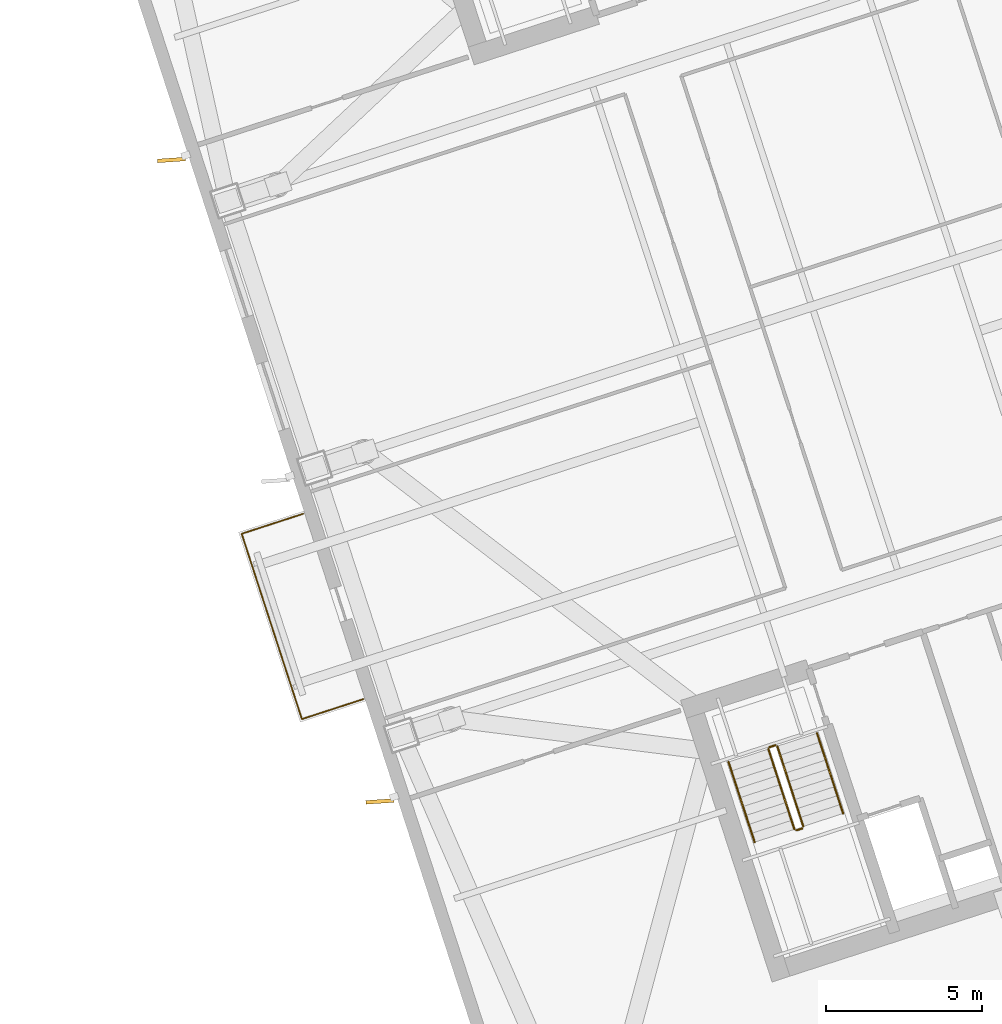
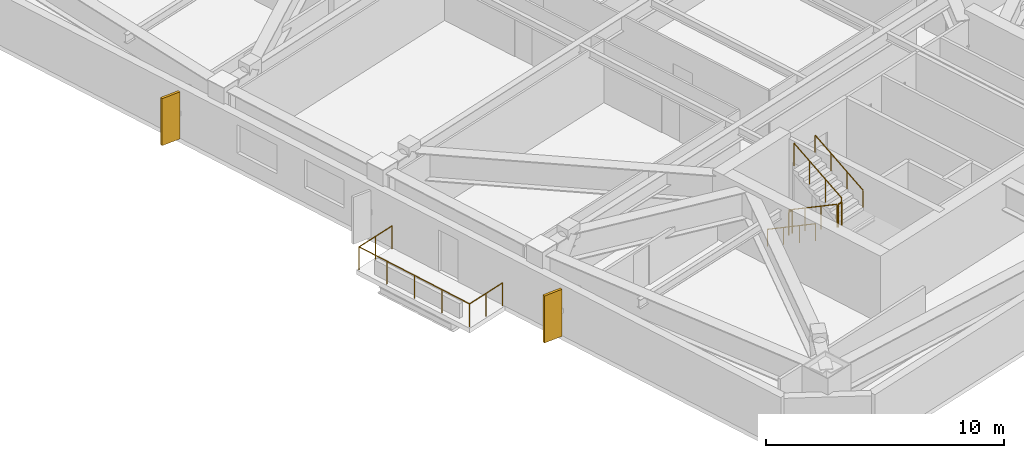
# One storey, part 16 of 17: 7 railings, 2 shading devices.
"""IFC4 building model written with IfcOpenShell, lengths in metres."""

import ifcopenshell
import ifcopenshell.guid

model = None  # the IFC model being written
_history = None  # IfcOwnerHistory: only IFC2X3 demands one
_inside = {}  # id of a spatial element -> (the spatial element, [elements in it])
_under = {}  # id of a project, library or spatial element -> (it, [spatial elements below it])
_declared = {}  # id of a project -> (the project, [libraries it declares])
_typed = {}  # id of a type object -> (the type object, [elements of that type])
_made_of = {}  # id of a material, layer set ... -> (it, [elements and type objects made of it])


def new_model(schema):
    """Start an empty IFC model of exactly this schema.

    Asked for "IFC4X3", IfcOpenShell would pick the latest addendum, in which some entities
    have other attributes; the version numbers below select the first issue.
    IFC2X3 requires an IfcOwnerHistory on every rooted entity: one is made here for all.
    """
    global model, _history
    if schema == "IFC4X3":
        model = ifcopenshell.file(schema_version=(4, 3, 0, 0))
    else:
        model = ifcopenshell.file(schema=schema)
    _inside.clear()
    _under.clear()
    _declared.clear()
    _typed.clear()
    _made_of.clear()
    _history = None
    if model.schema == "IFC2X3":
        org = make("IfcOrganization", Name="unknown")
        user = make(
            "IfcPersonAndOrganization",
            ThePerson=make("IfcPerson", FamilyName="unknown"),
            TheOrganization=org,
        )
        app = make(
            "IfcApplication",
            ApplicationDeveloper=org,
            Version="unknown",
            ApplicationFullName="unknown",
            ApplicationIdentifier="unknown",
        )
        _history = make(
            "IfcOwnerHistory",
            OwningUser=user,
            OwningApplication=app,
            ChangeAction="ADDED",
            CreationDate=0,
        )
    return model


def make(cls, **values):
    """One entity of the class cls with the attributes given. An attribute that is None is left unset."""
    return model.create_entity(
        cls, **{name: value for name, value in values.items() if value is not None}
    )


def rooted(cls, **values):
    """An entity with a GlobalId (a new one), such as an element, a storey or a relation."""
    return make(cls, GlobalId=ifcopenshell.guid.new(), OwnerHistory=_history, **values)


def si_unit(unit_type, name, prefix=None):
    """IfcSIUnit, for example si_unit("LENGTHUNIT", "METRE", prefix="MILLI")."""
    return make("IfcSIUnit", UnitType=unit_type, Prefix=prefix, Name=name)


def assignment(units):
    """IfcUnitAssignment: the units of a project."""
    return None if units is None else make("IfcUnitAssignment", Units=units)


def point(xyz):
    """IfcCartesianPoint."""
    return None if xyz is None else make("IfcCartesianPoint", Coordinates=xyz)


def direction(xyz):
    """IfcDirection."""
    return None if xyz is None else make("IfcDirection", DirectionRatios=xyz)


def frame(location, z_axis=None, x_axis=None):
    """IfcAxis2Placement3D, a coordinate frame: its origin and axes. An axis left out is left unset."""
    return make(
        "IfcAxis2Placement3D",
        Location=point(location),
        Axis=direction(z_axis),
        RefDirection=direction(x_axis),
    )


def frame_2d(location, x_axis=None):
    """IfcAxis2Placement2D, a coordinate frame in the plane: its origin and x axis."""
    return make(
        "IfcAxis2Placement2D", Location=point(location), RefDirection=direction(x_axis)
    )


def origin():
    """The frame at (0, 0, 0) with its axes left unset."""
    return frame((0.0, 0.0, 0.0))


def origin_2d():
    """The frame at (0, 0) in the plane with its x axis left unset."""
    return frame_2d((0.0, 0.0))


def place(relative_to, where):
    """IfcLocalPlacement: puts the frame where relative to a parent placement (None: the world)."""
    return make(
        "IfcLocalPlacement", PlacementRelTo=relative_to, RelativePlacement=where
    )


def context(
    kind, dimensions, precision=None, world=None, true_north=None, identifier=None
):
    """IfcGeometricRepresentationContext, for example the 3D "Model" context."""
    return make(
        "IfcGeometricRepresentationContext",
        ContextIdentifier=identifier,
        ContextType=kind,
        CoordinateSpaceDimension=dimensions,
        Precision=precision,
        WorldCoordinateSystem=world,
        TrueNorth=true_north,
    )


def subcontext(parent, identifier, kind, view, scale=None):
    """IfcGeometricRepresentationSubContext, for example "Body" below "Model"."""
    return make(
        "IfcGeometricRepresentationSubContext",
        ContextIdentifier=identifier,
        ContextType=kind,
        ParentContext=parent,
        TargetScale=scale,
        TargetView=view,
    )


def project(units=None, contexts=None):
    """IfcProject with its units and contexts."""
    return rooted(
        "IfcProject",
        Name="project",
        RepresentationContexts=contexts,
        UnitsInContext=assignment(units),
    )


def spatial(cls, under=None, at=None, **own):
    """A site, building, storey or space (cls), placed at a placement, below another one or the project."""
    s = rooted(cls, ObjectPlacement=at, **own)
    if under is not None:
        _under.setdefault(under.id(), (under, []))[1].append(s)
    return s


def profile(cls, at=None, kind="AREA", **sizes):
    """A parametric profile (cls). Its sizes go by their IFC names, for example OverallWidth=200.0."""
    return make(cls, ProfileType=kind, Position=at, **sizes)


def rectangle(**sizes):
    """IfcRectangleProfileDef."""
    return profile("IfcRectangleProfileDef", **sizes)


def circle(**sizes):
    """IfcCircleProfileDef."""
    return profile("IfcCircleProfileDef", **sizes)


def extrude(swept, where, along, depth):
    """IfcExtrudedAreaSolid: the profile swept, set in the frame where, extruded along a direction by depth."""
    return make(
        "IfcExtrudedAreaSolid",
        SweptArea=swept,
        Position=where,
        ExtrudedDirection=direction(along),
        Depth=depth,
    )


def shape(context_of_items, identifier, shape_type, items):
    """IfcShapeRepresentation: the items that make up one representation, for example the "Body"."""
    return make(
        "IfcShapeRepresentation",
        ContextOfItems=context_of_items,
        RepresentationIdentifier=identifier,
        RepresentationType=shape_type,
        Items=items,
    )


def material(Name=None, Category=None):
    """IfcMaterial."""
    return make("IfcMaterial", Name=Name, Category=Category)


def layer(
    of_material, thickness, ventilated=None, Name=None, Category=None, Priority=None
):
    """IfcMaterialLayer: one layer of a wall or slab, of a material (None: an air gap)."""
    return make(
        "IfcMaterialLayer",
        Material=of_material,
        LayerThickness=thickness,
        IsVentilated=ventilated,
        Name=Name,
        Category=Category,
        Priority=Priority,
    )


def layer_set(layers, Name=None):
    """IfcMaterialLayerSet."""
    return make("IfcMaterialLayerSet", MaterialLayers=layers, LayerSetName=Name)


def made_of(thing, what):
    """Note that an element or type object is made of a material, layer set ...; save() writes the relation."""
    if what is not None:
        _made_of.setdefault(what.id(), (what, []))[1].append(thing)
    return thing


def type_object(cls, material=None, **own):
    """A type object (cls), such as IfcWallType, which elements share."""
    return made_of(rooted(cls, **own), material)


def element(
    cls,
    number,
    at=None,
    inside=None,
    cuts=None,
    type_object=None,
    material=None,
    context=None,
    identifier="Body",
    shape_type=None,
    held_by="IfcProductDefinitionShape",
    body=None,
    shapes=None,
    **own,
):
    """One element of the class cls, such as IfcWall. Its Tag is "e" and its number.

    at: its placement. inside: the storey or other place that contains it. cuts: it is an
    opening in that element (IfcRelVoidsElement). A single representation is given by context,
    identifier, shape_type and body (its items); several are given by shapes. held_by: the class
    of the entity that holds the representations. save() writes the other relations.
    """
    e = rooted(cls, Tag="e%d" % number, ObjectPlacement=at, **own)
    if body is not None:
        shapes = [shape(context, identifier, shape_type, body)]
    if shapes is not None:
        e.Representation = make(held_by, Representations=shapes)
    if inside is not None:
        _inside.setdefault(inside.id(), (inside, []))[1].append(e)
    if cuts is not None:
        rooted(
            "IfcRelVoidsElement", RelatingBuildingElement=cuts, RelatedOpeningElement=e
        )
    if type_object is not None:
        _typed.setdefault(type_object.id(), (type_object, []))[1].append(e)
    return made_of(e, material)


def aggregate(whole, parts):
    """IfcRelAggregates: a whole, such as a stair, and the parts it consists of."""
    return rooted("IfcRelAggregates", RelatingObject=whole, RelatedObjects=parts)


def save(model, path):
    """Write the relations noted so far, then the file.

    IfcRelAggregates (storeys below a building ...), IfcRelContainedInSpatialStructure (elements
    in a storey), IfcRelDefinesByType, IfcRelAssociatesMaterial and IfcRelDeclares: one each for
    every whole, place, type object, material and project.
    """
    for whole, parts in _under.values():
        aggregate(whole, parts)
    for where, things in _inside.values():
        rooted(
            "IfcRelContainedInSpatialStructure",
            RelatedElements=things,
            RelatingStructure=where,
        )
    for kind, things in _typed.values():
        rooted("IfcRelDefinesByType", RelatedObjects=things, RelatingType=kind)
    for what, things in _made_of.values():
        rooted("IfcRelAssociatesMaterial", RelatedObjects=things, RelatingMaterial=what)
    for by, libraries in _declared.values():
        rooted("IfcRelDeclares", RelatingContext=by, RelatedDefinitions=libraries)
    model.write(path)


model = new_model("IFC4")

# Units and contexts
model_context = context("Model", 3, precision=1e-05, world=origin(), true_north=direction((0.0, 1.0)))
body_context = subcontext(model_context, "Body", "Model", "MODEL_VIEW")
ifc_project = project(units=[si_unit("LENGTHUNIT", "METRE"), si_unit("AREAUNIT", "SQUARE_METRE"), si_unit("VOLUMEUNIT", "CUBIC_METRE"), si_unit("PLANEANGLEUNIT", "RADIAN"), si_unit("MASSUNIT", "GRAM", prefix="KILO")], contexts=[model_context])

# Site, building, storey
site_placement = place(None, origin())
site = spatial("IfcSite", under=ifc_project, at=site_placement, CompositionType="ELEMENT")
building_placement = place(site_placement, origin())
building = spatial("IfcBuilding", under=site, at=building_placement, Name="Qiaolan Cultural Towers", CompositionType="ELEMENT")
storey_placement = place(building_placement, frame((0.0, 0.0, 131.10009765625)))
storey = spatial("IfcBuildingStorey", under=building, at=storey_placement, Name="L34", CompositionType="ELEMENT", Elevation=131.10009765625)

# Railings
ifc_material_1 = material(Name="Laminated SentryGlas & Stainless Steel S31608 Balustrade", Category="steel")
railing_type_1 = type_object("IfcRailingType", Name="GRD-TERR-1200", PredefinedType="BALUSTRADE", material=ifc_material_1)
railing_1_placement = place(storey_placement, frame((75.6328125, 21.4248046875, 0.0)))
element("IfcRailing", 1, at=railing_1_placement, inside=storey, type_object=railing_type_1, Name="L34 T2 Tree Balcony Guardrail W", PredefinedType="BALUSTRADE", context=body_context, shape_type="SweptSolid", body=[
    extrude(circle(Radius=0.02392578125, at=origin_2d()), frame((0.0, 0.0, 1.17578125), z_axis=(-0.951061799618, -0.309000733507, 0.0), x_axis=(0.309000733507, -0.951061799618, 0.0)), (0.0, 0.0, 1.0), 2.070068359375),
    extrude(circle(Radius=0.02392578125, at=origin_2d()), frame((-1.96875, -0.6396484375, 1.17578125), z_axis=(-0.30901175762, 0.951058217804, 0.0), x_axis=(-0.951058217804, -0.30901175762, 0.0)), (0.0, 0.0, 1.0), 6.239990234375),
    extrude(circle(Radius=0.02392578125, at=origin_2d()), frame((-3.89697265625, 5.294921875, 1.17578125), z_axis=(0.951061799618, 0.309000733507, 0.0), x_axis=(-0.309000733507, 0.951061799618, 0.0)), (0.0, 0.0, 1.0), 2.070068359375),
    extrude(circle(Radius=0.02099609375, at=origin_2d()), origin(), (0.0, 0.0, 1.0), 1.15185546875),
    extrude(circle(Radius=0.02099609375, at=origin_2d()), frame((-0.984375, -0.31982421875, 0.0)), (0.0, 0.0, 1.0), 1.15185546875),
    extrude(circle(Radius=0.02099609375, at=origin_2d()), frame((-1.96875, -0.6396484375, 0.0)), (0.0, 0.0, 1.0), 1.15185546875),
    extrude(circle(Radius=0.02099609375, at=origin_2d()), frame((-2.45068359375, 0.843994140625, 0.0)), (0.0, 0.0, 1.0), 1.15185546875),
    extrude(circle(Radius=0.02099609375, at=origin_2d()), frame((-2.932861328125, 2.32763671875, 0.0)), (0.0, 0.0, 1.0), 1.15185546875),
    extrude(circle(Radius=0.02099609375, at=origin_2d()), frame((-3.4150390625, 3.811279296875, 0.0)), (0.0, 0.0, 1.0), 1.15185546875),
    extrude(circle(Radius=0.02099609375, at=origin_2d()), frame((-3.89697265625, 5.294921875, 0.0)), (0.0, 0.0, 1.0), 1.15185546875),
    extrude(circle(Radius=0.02099609375, at=origin_2d()), frame((-2.91259765625, 5.61474609375, 0.0)), (0.0, 0.0, 1.0), 1.15185546875),
    extrude(circle(Radius=0.02099609375, at=origin_2d()), frame((-1.92822265625, 5.9345703125, 0.0)), (0.0, 0.0, 1.0), 1.15185546875),
])
ifc_material_2 = material(Name="Galvanized Painted Steel Stair Guardrail", Category="steel")
railing_type_2 = type_object("IfcRailingType", Name="RL-STAIR-GRD", PredefinedType="GUARDRAIL", material=ifc_material_2)
railing_2_placement = place(storey_placement, frame((88.60205078125, 19.82421875, 0.17236328125)))
element("IfcRailing", 2, at=railing_2_placement, inside=storey, type_object=railing_type_2, Name="L34 ST-E1 stair guard 1", PredefinedType="GUARDRAIL", context=body_context, shape_type="SweptSolid", body=[
    extrude(circle(Radius=0.02392578125, at=origin_2d()), frame((0.0, 0.0, 1.17578125), z_axis=(0.267925668498, -0.824471088726, 0.498460891159), x_axis=(0.951043371037, 0.309057448393, 0.0)), (0.0, 0.0, 1.0), 3.114501953125),
    extrude(circle(Radius=0.02099609375, at=origin_2d()), origin(), (0.0, 0.0, 1.0), 1.15185546875),
    extrude(circle(Radius=0.02099609375, at=origin_2d()), frame((0.278076171875, -0.85595703125, 0.517578125)), (0.0, 0.0, 1.0), 1.15185546875),
    extrude(circle(Radius=0.02099609375, at=origin_2d()), frame((0.556396484375, -1.7119140625, 1.034912109375)), (0.0, 0.0, 1.0), 1.15185546875),
    extrude(circle(Radius=0.02099609375, at=origin_2d()), frame((0.83447265625, -2.56787109375, 1.552490234375)), (0.0, 0.0, 1.0), 1.15185546875),
])
railing_3_placement = place(storey_placement, frame((89.49951171875, 17.224365234375, 1.724853515625)))
element("IfcRailing", 3, at=railing_3_placement, inside=storey, type_object=railing_type_2, Name="L34 ST-E1 stair guard 2", PredefinedType="GUARDRAIL", context=body_context, shape_type="SweptSolid", body=[
    extrude(circle(Radius=0.02392578125, at=origin_2d()), frame((0.0, 0.0, 1.17578125), z_axis=(0.951096855055, 0.308892816854, 0.0), x_axis=(-0.308892816854, 0.951096855055, 0.0)), (0.0, 0.0, 1.0), 0.199951171875),
    extrude(circle(Radius=0.02099609375, at=origin_2d()), origin(), (0.0, 0.0, 1.0), 1.15185546875),
    extrude(circle(Radius=0.02099609375, at=origin_2d()), frame((0.190185546875, 0.061767578125, 0.0)), (0.0, 0.0, 1.0), 1.15185546875),
])
railing_4_placement = place(storey_placement, frame((89.721923828125, 17.34912109375, 1.8974609375)))
element("IfcRailing", 4, at=railing_4_placement, inside=storey, type_object=railing_type_2, Name="L34 ST-E1 stair guard 3", PredefinedType="GUARDRAIL", context=body_context, shape_type="SweptSolid", body=[
    extrude(circle(Radius=0.02392578125, at=origin_2d()), frame((0.0, 0.0, 1.17578125), z_axis=(-0.267925668498, 0.824471088726, 0.498460891159), x_axis=(-0.951043371037, -0.309057448393, 0.0)), (0.0, 0.0, 1.0), 3.114501953125),
    extrude(circle(Radius=0.02099609375, at=origin_2d()), origin(), (0.0, 0.0, 1.0), 1.15185546875),
    extrude(circle(Radius=0.02099609375, at=origin_2d()), frame((-0.278076171875, 0.85595703125, 0.517578125)), (0.0, 0.0, 1.0), 1.15185546875),
    extrude(circle(Radius=0.02099609375, at=origin_2d()), frame((-0.556396484375, 1.7119140625, 1.034912109375)), (0.0, 0.0, 1.0), 1.15185546875),
    extrude(circle(Radius=0.02099609375, at=origin_2d()), frame((-0.83447265625, 2.56787109375, 1.552490234375)), (0.0, 0.0, 1.0), 1.15185546875),
])
railing_5_placement = place(storey_placement, frame((88.63427734375, 19.88720703125, 0.0)))
element("IfcRailing", 5, at=railing_5_placement, inside=storey, type_object=railing_type_2, Name="L34 ST-E1 stair guard 4", PredefinedType="GUARDRAIL", context=body_context, shape_type="SweptSolid", body=[
    extrude(circle(Radius=0.02392578125, at=origin_2d()), frame((0.0, 0.0, 1.17578125), z_axis=(0.951096855055, 0.308892816854, 0.0), x_axis=(-0.308892816854, 0.951096855055, 0.0)), (0.0, 0.0, 1.0), 0.199951171875),
    extrude(circle(Radius=0.02099609375, at=origin_2d()), origin(), (0.0, 0.0, 1.0), 1.15185546875),
    extrude(circle(Radius=0.02099609375, at=origin_2d()), frame((0.190185546875, 0.061767578125, 0.0)), (0.0, 0.0, 1.0), 1.15185546875),
])
ifc_material_3 = material(Name="Stainless Steel S30408 Tubular Handrail", Category="steel")
railing_type_3 = type_object("IfcRailingType", Name="RL-STAIR-HR", PredefinedType="HANDRAIL", material=ifc_material_3)
railing_6_placement = place(storey_placement, frame((87.32763671875, 19.41015625, 0.17236328125)))
element("IfcRailing", 6, at=railing_6_placement, inside=storey, type_object=railing_type_3, Name="L34 ST-E1 stair handrail 1", PredefinedType="HANDRAIL", context=body_context, shape_type="SweptSolid", body=[
    extrude(circle(Radius=0.02392578125, at=origin_2d()), frame((0.0, 0.0, 0.8759765625), z_axis=(0.267925668498, -0.824471088726, 0.498460891159), x_axis=(0.951043371037, 0.309057448393, 0.0)), (0.0, 0.0, 1.0), 3.114501953125),
    extrude(circle(Radius=0.02099609375, at=origin_2d()), origin(), (0.0, 0.0, 1.0), 0.851806640625),
    extrude(circle(Radius=0.02099609375, at=origin_2d()), frame((0.278076171875, -0.85595703125, 0.517578125)), (0.0, 0.0, 1.0), 0.851806640625),
    extrude(circle(Radius=0.02099609375, at=origin_2d()), frame((0.556396484375, -1.7119140625, 1.034912109375)), (0.0, 0.0, 1.0), 0.851806640625),
    extrude(circle(Radius=0.02099609375, at=origin_2d()), frame((0.83447265625, -2.56787109375, 1.552490234375)), (0.0, 0.0, 1.0), 0.851806640625),
])
railing_7_placement = place(storey_placement, frame((90.996337890625, 17.76318359375, 1.8974609375)))
element("IfcRailing", 7, at=railing_7_placement, inside=storey, type_object=railing_type_3, Name="L34 ST-E1 stair handrail 2", PredefinedType="HANDRAIL", context=body_context, shape_type="SweptSolid", body=[
    extrude(circle(Radius=0.02392578125, at=origin_2d()), frame((0.0, 0.0, 0.8759765625), z_axis=(-0.267925668498, 0.824471088726, 0.498460891159), x_axis=(-0.951043371037, -0.309057448393, 0.0)), (0.0, 0.0, 1.0), 3.114501953125),
    extrude(circle(Radius=0.02099609375, at=origin_2d()), origin(), (0.0, 0.0, 1.0), 0.851806640625),
    extrude(circle(Radius=0.02099609375, at=origin_2d()), frame((-0.278076171875, 0.85595703125, 0.517578125)), (0.0, 0.0, 1.0), 0.851806640625),
    extrude(circle(Radius=0.02099609375, at=origin_2d()), frame((-0.556396484375, 1.7119140625, 1.034912109375)), (0.0, 0.0, 1.0), 0.851806640625),
    extrude(circle(Radius=0.02099609375, at=origin_2d()), frame((-0.83447265625, 2.56787109375, 1.552490234375)), (0.0, 0.0, 1.0), 0.851806640625),
])

# Shading devices
ifc_material_4 = material(Name="Pierced Warm Terracotta Acoustic Fin", Category="masonry")
ifc_layer = layer(ifc_material_4, 0.1201171875)
ifc_layer_set = layer_set([ifc_layer], Name="Pierced Warm Terracotta Acoustic Fin")
shading_device_type = type_object("IfcShadingDeviceType", Name="SHD-FIN-PIERCED", PredefinedType="USERDEFINED", material=ifc_layer_set)
for number, where, z_axis, x_axis, name in (
    (8, (76.161376953125, 18.147705078125, 0.10009765625), (0.0, 0.0, 1.0), (0.997678801929, 0.068095581214, 0.0), "L34 T2 Expressive Precast Vertical Fin W1"),
    (9, (69.486572265625, 38.690673828125, 0.10009765625), (0.0, 0.0, 1.0), (0.997678801929, 0.068095581214, 0.0), "L34 T2 Expressive Precast Vertical Fin W3"),
):
    element("IfcShadingDevice", number, at=place(storey_placement, frame(where, z_axis=z_axis, x_axis=x_axis)), inside=storey, type_object=shading_device_type, Name=name, ObjectType="FIN", PredefinedType="USERDEFINED", context=body_context, shape_type="SweptSolid", body=[
        extrude(rectangle(XDim=0.89990234375, YDim=0.1201171875, at=origin_2d()), origin(), (0.0, 0.0, 1.0), 2.409912109375),
    ])

save(model, "model.ifc")
